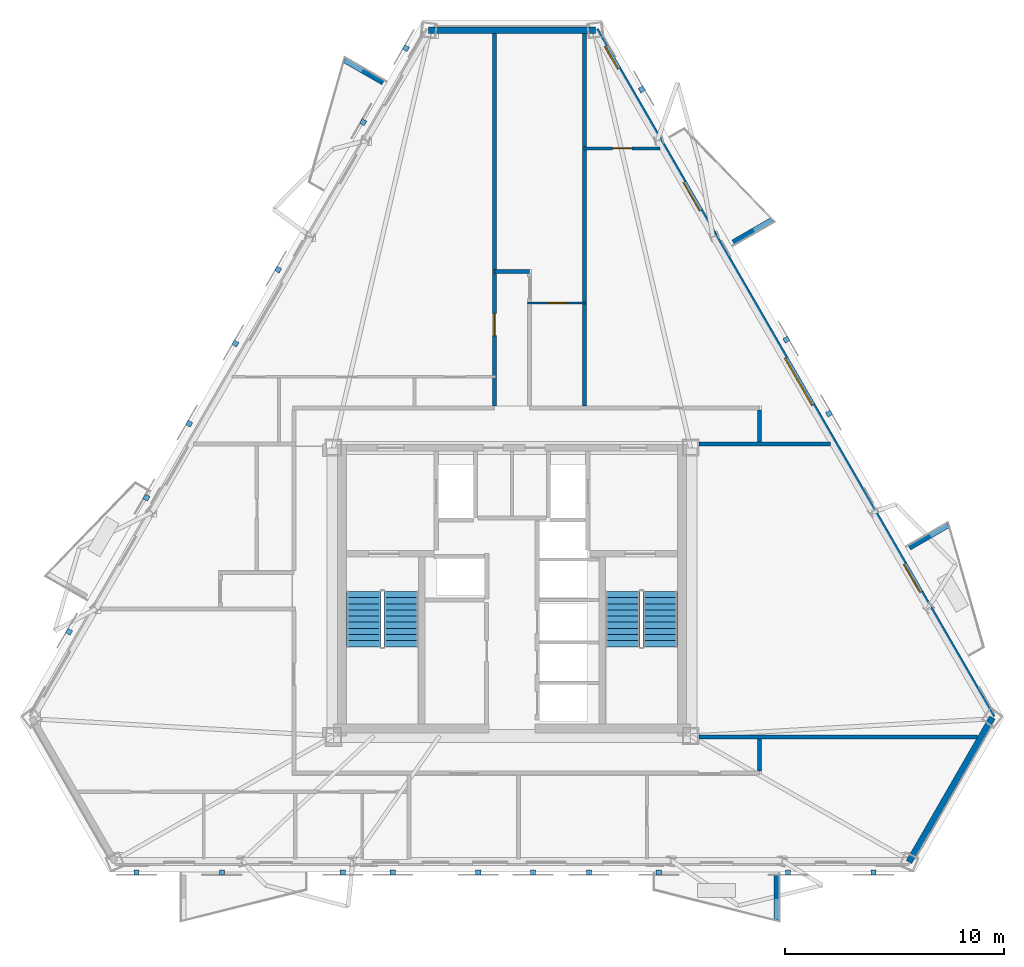
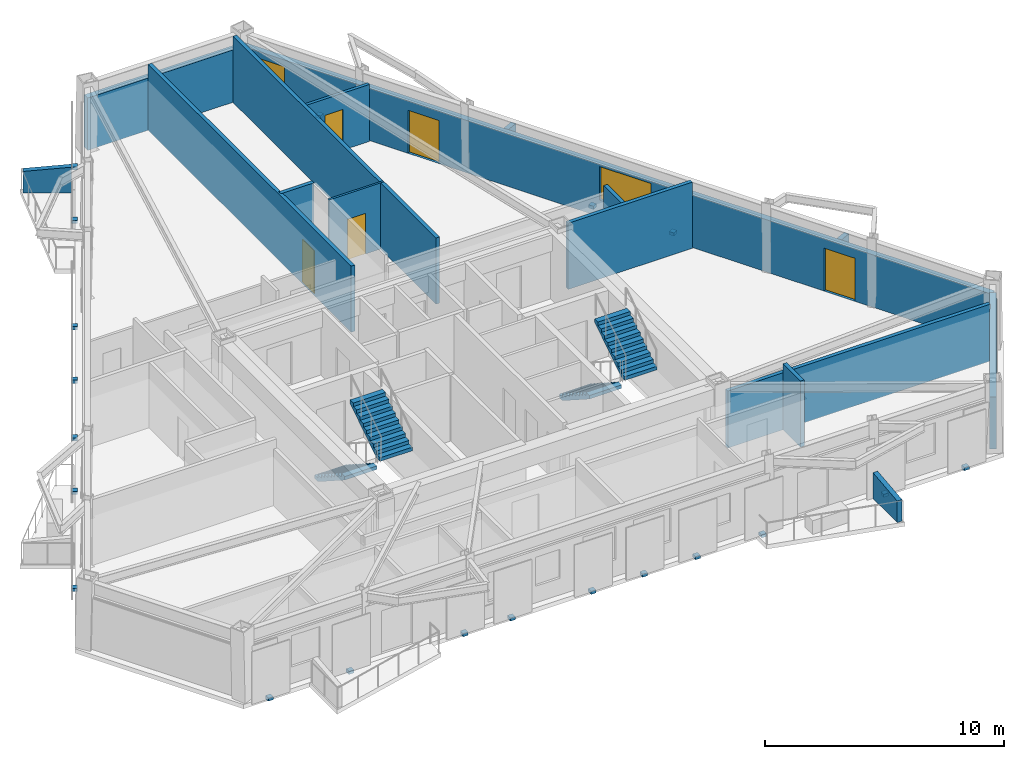
# One storey, part 5 of 8: 20 discrete accessories, 16 walls, 5 doors, 4 stair flights, 2 windows, 7 openings, 2 elements without a shape of their own.
"""IFC4 building model written with IfcOpenShell, lengths in metres."""

from ifc_helpers import new_model, si_unit, direction, frame, frame_2d, origin, origin_2d, place, context, subcontext, project, spatial, polyline, rectangle, outline, extrude, material, layer, layer_set, type_object, element, fill, aggregate, save


model = new_model("IFC4")

# Units and contexts
model_context = context("Model", 3, precision=1e-05, world=origin(), true_north=direction((0.0, 1.0)))
body_context = subcontext(model_context, "Body", "Model", "MODEL_VIEW")
ifc_project = project(units=[si_unit("LENGTHUNIT", "METRE"), si_unit("AREAUNIT", "SQUARE_METRE"), si_unit("VOLUMEUNIT", "CUBIC_METRE"), si_unit("PLANEANGLEUNIT", "RADIAN"), si_unit("MASSUNIT", "GRAM", prefix="KILO")], contexts=[model_context])

# Site, building, storey
site_placement = place(None, origin())
site = spatial("IfcSite", under=ifc_project, at=site_placement, CompositionType="ELEMENT")
building_placement = place(site_placement, origin())
building = spatial("IfcBuilding", under=site, at=building_placement, Name="Oramaril Tower", CompositionType="ELEMENT")
storey_placement = place(building_placement, frame((0.0, 0.0, 193.800048828125)))
storey = spatial("IfcBuildingStorey", under=building, at=storey_placement, Name="L51", CompositionType="ELEMENT", Elevation=193.800048828125)

# Wall
ifc_material_1 = material(Name="Warm Cream Limestone", Category="masonry")
ifc_layer_1 = layer(ifc_material_1, 0.2900390625)
ifc_layer_set_1 = layer_set([ifc_layer_1], Name="WT-EXT29")
wall_type_1 = type_object("IfcWallType", Name="WT-EXT29", PredefinedType="SOLIDWALL", material=ifc_layer_set_1)
wall_1_placement = place(storey_placement, frame((55.6171875, 5.24169921875, 0.0), z_axis=(0.0, 0.0, 1.0), x_axis=(0.500006337612, 0.866021744731, 0.0)))
element("IfcWall", 1, at=wall_1_placement, inside=storey, type_object=wall_type_1, Name="L51 Tower Limestone Facade Wall 3M", PredefinedType="SOLIDWALL", context=body_context, shape_type="SweptSolid", body=[
    extrude(rectangle(XDim=7.6181640625, YDim=0.2900390625, at=frame_2d((3.80908203125, 0.0))), origin(), (0.0, 0.0, 1.0), 2.677001953125),
])

# Wall, openings, doors, windows
wall_2_placement = place(storey_placement, frame((59.42626953125, 11.839111328125, 0.0), z_axis=(0.0, 0.0, 1.0), x_axis=(-0.499997159266, 0.866027043877, 0.0)))
wall_2 = element("IfcWall", 2, at=wall_2_placement, inside=storey, type_object=wall_type_1, Name="L51 Tower Limestone Facade Wall 4M", PredefinedType="SOLIDWALL", context=body_context, shape_type="SweptSolid", body=[
    extrude(rectangle(XDim=36.234619140625, YDim=0.2900390625, at=frame_2d((18.1171875, 0.0))), origin(), (0.0, 0.0, 1.0), 2.677001953125),
])
opening_1_placement = place(wall_2_placement, frame((6.579345703125, 0.0, 0.0)))
opening_1 = element("IfcOpeningElement", 3, at=opening_1_placement, cuts=wall_2, Name="Opening D-L51-BAL-NE1", PredefinedType="OPENING", context=body_context, shape_type="SweptSolid", body=[
    extrude(rectangle(XDim=1.5, YDim=2.199951171875, at=frame_2d((0.75, 1.10009765625))), frame((0.0, 0.14501953125, 0.0), z_axis=(0.0, -1.0, 0.0), x_axis=(1.0, 0.0, 0.0)), (0.0, 0.0, 1.0), 0.2900390625),
])
opening_2_placement = place(wall_2_placement, frame((26.7001953125, 0.0, 0.0)))
opening_2 = element("IfcOpeningElement", 4, at=opening_2_placement, cuts=wall_2, Name="Opening D-L51-BAL-NE2", PredefinedType="OPENING", context=body_context, shape_type="SweptSolid", body=[
    extrude(rectangle(XDim=1.5, YDim=2.199951171875, at=frame_2d((0.75, 1.10009765625))), frame((0.0, 0.14501953125, 0.0), z_axis=(0.0, -1.0, 0.0), x_axis=(1.0, 0.0, 0.0)), (0.0, 0.0, 1.0), 0.2900390625),
])
opening_3_placement = place(wall_2_placement, frame((34.1796875, 0.0, 0.85009765625)))
opening_3 = element("IfcOpeningElement", 5, at=opening_3_placement, cuts=wall_2, Name="Opening WN-09", PredefinedType="OPENING", context=body_context, shape_type="SweptSolid", body=[
    extrude(rectangle(XDim=1.199951171875, YDim=1.47998046875, at=frame_2d((0.60009765625, 0.739990234375))), frame((0.0, 0.14501953125, 0.0), z_axis=(0.0, -1.0, 0.0), x_axis=(1.0, 0.0, 0.0)), (0.0, 0.0, 1.0), 0.2900390625),
])
opening_4_placement = place(wall_2_placement, frame((16.442138671875, 0.0, 0.85009765625)))
opening_4 = element("IfcOpeningElement", 6, at=opening_4_placement, cuts=wall_2, Name="Opening WN-11", PredefinedType="OPENING", context=body_context, shape_type="SweptSolid", body=[
    extrude(rectangle(XDim=2.5, YDim=1.717041015625, at=frame_2d((1.25, 0.8583984375))), frame((0.0, 0.14501953125, 0.0), z_axis=(0.0, -1.0, 0.0), x_axis=(1.0, 0.0, 0.0)), (0.0, 0.0, 1.0), 0.2900390625),
])
ifc_material_2 = material(Name="Anodised Aluminium 6063-T6", Category="aluminium")
door_type_1 = type_object("IfcDoorType", Name="DT-BAL", OperationType="NOTDEFINED", PredefinedType="DOOR", material=ifc_material_2)
door_1_placement = place(opening_1_placement, origin())
door_1 = element("IfcDoor", 7, at=door_1_placement, inside=storey, type_object=door_type_1, Name="L51 Balcony Glazed Door L51-BAL-NE1", OperationType="SINGLE_SWING_RIGHT", OverallHeight=2.199951171875, OverallWidth=1.5, PredefinedType="DOOR", context=body_context, shape_type="SweptSolid", body=[
    extrude(rectangle(XDim=1.5, YDim=2.199951171875, at=frame_2d((0.75, 1.10009765625))), frame((0.0, 0.02490234375, 0.0), z_axis=(0.0, -1.0, 0.0), x_axis=(1.0, 0.0, 0.0)), (0.0, 0.0, 1.0), 0.050048828125),
])
fill(opening_1, door_1)
door_2_placement = place(opening_2_placement, origin())
door_2 = element("IfcDoor", 8, at=door_2_placement, inside=storey, type_object=door_type_1, Name="L51 Balcony Glazed Door L51-BAL-NE2", OperationType="SINGLE_SWING_LEFT", OverallHeight=2.199951171875, OverallWidth=1.5, PredefinedType="DOOR", context=body_context, shape_type="SweptSolid", body=[
    extrude(rectangle(XDim=1.5, YDim=2.199951171875, at=frame_2d((0.75, 1.10009765625))), frame((0.0, 0.02490234375, 0.0), z_axis=(0.0, -1.0, 0.0), x_axis=(1.0, 0.0, 0.0)), (0.0, 0.0, 1.0), 0.050048828125),
])
fill(opening_2, door_2)
ifc_material_3 = material(Name="Coastal Low-E Insulated Glass", Category="glass")
window_type_1 = type_object("IfcWindowType", Name="WNT-09", PartitioningType="SINGLE_PANEL", PredefinedType="WINDOW", material=ifc_material_3)
window_1_placement = place(opening_3_placement, origin())
window_1 = element("IfcWindow", 9, at=window_1_placement, inside=storey, type_object=window_type_1, Name="L51 Chicago Bay Window WN-09", OverallHeight=1.47998046875, OverallWidth=1.199951171875, PartitioningType="SINGLE_PANEL", PredefinedType="WINDOW", context=body_context, shape_type="SweptSolid", body=[
    extrude(rectangle(XDim=1.199951171875, YDim=1.47998046875, at=frame_2d((0.60009765625, 0.739990234375))), frame((0.0, 0.030029296875, 0.0), z_axis=(0.0, -1.0, 0.0), x_axis=(1.0, 0.0, 0.0)), (0.0, 0.0, 1.0), 0.06005859375),
])
fill(opening_3, window_1)
ifc_material_4 = material(Name="Coastal Low-E Insulated Glass", Category="glass")
window_type_2 = type_object("IfcWindowType", Name="WNT-11", PartitioningType="SINGLE_PANEL", PredefinedType="WINDOW", material=ifc_material_4)
window_2_placement = place(opening_4_placement, origin())
window_2 = element("IfcWindow", 10, at=window_2_placement, inside=storey, type_object=window_type_2, Name="L51 Chicago Bay Window WN-11", OverallHeight=1.717041015625, OverallWidth=2.5, PartitioningType="SINGLE_PANEL", PredefinedType="WINDOW", context=body_context, shape_type="SweptSolid", body=[
    extrude(rectangle(XDim=2.5, YDim=1.717041015625, at=frame_2d((1.25, 0.8583984375))), frame((0.0, 0.030029296875, 0.0), z_axis=(0.0, -1.0, 0.0), x_axis=(1.0, 0.0, 0.0)), (0.0, 0.0, 1.0), 0.06005859375),
])
fill(opening_4, window_2)

# Walls
wall_3_placement = place(storey_placement, frame((41.30908203125, 43.21923828125, 0.0), z_axis=(0.0, 0.0, 1.0), x_axis=(-1.0, 0.0, 0.0)))
element("IfcWall", 11, at=wall_3_placement, inside=storey, type_object=wall_type_1, Name="L51 Tower Limestone Facade Wall 5M", PredefinedType="SOLIDWALL", context=body_context, shape_type="SweptSolid", body=[
    extrude(rectangle(XDim=7.6181640625, YDim=0.2900390625, at=frame_2d((3.80908203125, 0.0))), origin(), (0.0, 0.0, 1.0), 2.677001953125),
])
ifc_material_5 = material(Name="Concrete C40/50", Category="concrete")
ifc_layer_2 = layer(ifc_material_5, 0.22998046875)
ifc_layer_set_2 = layer_set([ifc_layer_2], Name="WT-PRP23")
wall_type_2 = type_object("IfcWallType", Name="WT-PRP23", PredefinedType="PARAPET", material=ifc_layer_set_2)
for number, where, z_axis, x_axis, name in (
    (12, (49.577880859375, 4.643798828125, 0.0), (0.0, 0.0, 1.0), (0.0, -1.0, 0.0), "L51 Trapezoidal Balcony Frame Cheek L51-BAL-S2-R"),
    (13, (55.64208984375, 19.589599609375, 0.0), (0.0, 0.0, 1.0), (0.866012356593, 0.500022597718, 0.0), "L51 Trapezoidal Balcony Frame Cheek L51-BAL-NE1-R"),
    (14, (47.591552734375, 33.533447265625, 0.0), (0.0, 0.0, 1.0), (0.866042246008, 0.499970827278, 0.0), "L51 Trapezoidal Balcony Frame Cheek L51-BAL-NE2-L"),
    (15, (31.615966796875, 40.821044921875, 0.0), (0.0, 0.0, 1.0), (-0.866042246008, 0.499970827278, 0.0), "L51 Trapezoidal Balcony Frame Cheek L51-BAL-NW1-L"),
):
    element("IfcWall", number, at=place(storey_placement, frame(where, z_axis=z_axis, x_axis=x_axis)), inside=storey, type_object=wall_type_2, Name=name, PredefinedType="PARAPET", context=body_context, shape_type="SweptSolid", body=[
        extrude(outline(polyline([(0.0, 0.0), (2.0419921875, 0.0), (2.0419921875, 1.099853515625), (0.0, 1.320068359375), (0.0, 0.0)])), frame((0.0, 0.114990234375, 0.0), z_axis=(0.0, -1.0, 0.0), x_axis=(1.0, 0.0, 0.0)), (0.0, 0.0, 1.0), 0.22998046875),
    ])

# Wall, opening, door
ifc_material_6 = material(Name="Acoustic Gypsum Board Partition")
ifc_layer_3 = layer(ifc_material_6, 0.10009765625)
ifc_layer_set_3 = layer_set([ifc_layer_3], Name="WT-PT10")
wall_type_3 = type_object("IfcWallType", Name="WT-PT10", PredefinedType="PARTITIONING", material=ifc_layer_set_3)
wall_4_placement = place(storey_placement, frame((38.218017578125, 30.760009765625, 0.0), z_axis=(0.0, 0.0, 1.0), x_axis=(1.0, 0.0, 0.0)))
wall_4 = element("IfcWall", 16, at=wall_4_placement, inside=storey, type_object=wall_type_3, Name="L51 Interior Partition PT-10", PredefinedType="PARTITIONING", context=body_context, shape_type="SweptSolid", body=[
    extrude(rectangle(XDim=2.6640625, YDim=0.10009765625, at=frame_2d((1.33203125, 0.0))), origin(), (0.0, 0.0, 1.0), 3.3798828125),
])
opening_5_placement = place(wall_4_placement, frame((0.89208984375, 0.0, 0.0)))
opening_5 = element("IfcOpeningElement", 17, at=opening_5_placement, cuts=wall_4, Name="Opening D-L51-11", PredefinedType="OPENING", context=body_context, shape_type="SweptSolid", body=[
    extrude(rectangle(XDim=0.8798828125, YDim=2.080078125, at=frame_2d((0.43994140625, 1.0400390625))), frame((0.0, 0.050048828125, 0.0), z_axis=(0.0, -1.0, 0.0), x_axis=(1.0, 0.0, 0.0)), (0.0, 0.0, 1.0), 0.10009765625),
])
ifc_material_7 = material(Name="FSC Brazilian Freijo Hardwood", Category="wood")
door_type_2 = type_object("IfcDoorType", Name="DT-BATH", OperationType="NOTDEFINED", PredefinedType="DOOR", material=ifc_material_7)
door_3_placement = place(opening_5_placement, origin())
door_3 = element("IfcDoor", 18, at=door_3_placement, inside=storey, type_object=door_type_2, Name="L51 Flat L51-U6 Bathroom Door D-L51-11", OperationType="SINGLE_SWING_LEFT", OverallHeight=2.080078125, OverallWidth=0.8798828125, PredefinedType="DOOR", context=body_context, shape_type="SweptSolid", body=[
    extrude(rectangle(XDim=0.8798828125, YDim=2.080078125, at=frame_2d((0.43994140625, 1.0400390625))), frame((0.0, 0.02490234375, 0.0), z_axis=(0.0, -1.0, 0.0), x_axis=(1.0, 0.0, 0.0)), (0.0, 0.0, 1.0), 0.050048828125),
])
fill(opening_5, door_3)

ifc_material_8 = material(Name="Acoustic Gypsum Board Partition")
ifc_layer_4 = layer(ifc_material_8, 0.139892578125)
ifc_layer_set_4 = layer_set([ifc_layer_4], Name="WT-PT14")
wall_type_4 = type_object("IfcWallType", Name="WT-PT14", PredefinedType="PARTITIONING", material=ifc_layer_set_4)
wall_5_placement = place(storey_placement, frame((40.718017578125, 37.820068359375, 0.0), z_axis=(0.0, 0.0, 1.0), x_axis=(1.0, 0.0, 0.0)))
wall_5 = element("IfcWall", 19, at=wall_5_placement, inside=storey, type_object=wall_type_4, Name="L51 Interior Partition PT-14", PredefinedType="PARTITIONING", context=body_context, shape_type="SweptSolid", body=[
    extrude(rectangle(XDim=3.5361328125, YDim=0.139892578125, at=frame_2d((1.76806640625, 0.0))), origin(), (0.0, 0.0, 1.0), 2.912841796875),
])
opening_6_placement = place(wall_5_placement, frame((1.369384765625, 0.0, 0.0)))
opening_6 = element("IfcOpeningElement", 20, at=opening_6_placement, cuts=wall_5, Name="Opening D-L51-12", PredefinedType="OPENING", context=body_context, shape_type="SweptSolid", body=[
    extrude(rectangle(XDim=0.8798828125, YDim=2.080078125, at=frame_2d((0.43994140625, 1.0400390625))), frame((0.0, 0.06982421875, 0.0), z_axis=(0.0, -1.0, 0.0), x_axis=(1.0, 0.0, 0.0)), (0.0, 0.0, 1.0), 0.139892578125),
])
door_4_placement = place(opening_6_placement, origin())
door_4 = element("IfcDoor", 21, at=door_4_placement, inside=storey, type_object=door_type_2, Name="L51 Flat L51-U7 Bathroom Door D-L51-12", OperationType="SINGLE_SWING_RIGHT", OverallHeight=2.080078125, OverallWidth=0.8798828125, PredefinedType="DOOR", context=body_context, shape_type="SweptSolid", body=[
    extrude(rectangle(XDim=0.8798828125, YDim=2.080078125, at=frame_2d((0.43994140625, 1.0400390625))), frame((0.0, 0.02490234375, 0.0), z_axis=(0.0, -1.0, 0.0), x_axis=(1.0, 0.0, 0.0)), (0.0, 0.0, 1.0), 0.050048828125),
])
fill(opening_6, door_4)

# Walls
ifc_material_9 = material(Name="Autoclaved Cellular Concrete Block", Category="concrete")
ifc_layer_5 = layer(ifc_material_9, 0.179931640625)
ifc_layer_set_5 = layer_set([ifc_layer_5], Name="WT-PT18")
wall_type_5 = type_object("IfcWallType", Name="WT-PT18", PredefinedType="PARTITIONING", material=ifc_layer_set_5)
wall_6_placement = place(storey_placement, frame((46.0400390625, 10.949951171875, 0.0), z_axis=(0.0, 0.0, 1.0), x_axis=(1.0, 0.0, 0.0)))
element("IfcWall", 22, at=wall_6_placement, inside=storey, type_object=wall_type_5, Name="L51 Interior Partition PT-18", PredefinedType="PARTITIONING", context=body_context, shape_type="SweptSolid", body=[
    extrude(rectangle(XDim=12.700927734375, YDim=0.179931640625, at=frame_2d((6.3505859375, 0.0))), origin(), (0.0, 0.0, 1.0), 2.912841796875),
])
wall_7_placement = place(storey_placement, frame((46.0400390625, 24.320068359375, 0.0), z_axis=(0.0, 0.0, 1.0), x_axis=(1.0, 0.0, 0.0)))
element("IfcWall", 23, at=wall_7_placement, inside=storey, type_object=wall_type_5, Name="L51 Interior Partition PT-18", PredefinedType="PARTITIONING", context=body_context, shape_type="SweptSolid", body=[
    extrude(rectangle(XDim=6.00830078125, YDim=0.179931640625, at=frame_2d((3.004150390625, 0.0))), origin(), (0.0, 0.0, 1.0), 3.3798828125),
])
wall_8_placement = place(storey_placement, frame((36.699951171875, 32.199951171875, 0.0), z_axis=(0.0, 0.0, 1.0), x_axis=(1.0, 0.0, 0.0)))
element("IfcWall", 24, at=wall_8_placement, inside=storey, type_object=wall_type_5, Name="L51 Interior Partition PT-18", PredefinedType="PARTITIONING", context=body_context, shape_type="SweptSolid", body=[
    extrude(rectangle(XDim=1.60009765625, YDim=0.179931640625, at=frame_2d((0.800048828125, 0.0))), origin(), (0.0, 0.0, 1.0), 3.3798828125),
])

# Wall, opening, door
wall_9_placement = place(storey_placement, frame((36.699951171875, 26.06396484375, 0.0), z_axis=(0.0, 0.0, 1.0), x_axis=(0.0, 1.0, 0.0)))
wall_9 = element("IfcWall", 25, at=wall_9_placement, inside=storey, type_object=wall_type_5, Name="L51 Interior Partition PT-18", PredefinedType="PARTITIONING", context=body_context, shape_type="SweptSolid", body=[
    extrude(rectangle(XDim=17.00634765625, YDim=0.179931640625, at=frame_2d((8.503173828125, 0.0))), origin(), (0.0, 0.0, 1.0), 3.3798828125),
])
opening_7_placement = place(wall_9_placement, frame((3.2099609375, 0.0, 0.0)))
opening_7 = element("IfcOpeningElement", 26, at=opening_7_placement, cuts=wall_9, Name="Opening D-L51-16", PredefinedType="OPENING", context=body_context, shape_type="SweptSolid", body=[
    extrude(rectangle(XDim=1.0, YDim=2.179931640625, at=frame_2d((0.5, 1.08984375))), frame((0.0, 0.08984375, 0.0), z_axis=(0.0, -1.0, 0.0), x_axis=(1.0, 0.0, 0.0)), (0.0, 0.0, 1.0), 0.179931640625),
])
ifc_material_10 = material(Name="FSC Brazilian Freijo Hardwood", Category="wood")
door_type_3 = type_object("IfcDoorType", Name="DT-APT", OperationType="NOTDEFINED", PredefinedType="DOOR", material=ifc_material_10)
door_5_placement = place(opening_7_placement, origin())
door_5 = element("IfcDoor", 27, at=door_5_placement, inside=storey, type_object=door_type_3, Name="L51 Flat L51-U5 Studio Apartment Door D-L51-16", OperationType="SINGLE_SWING_RIGHT", OverallHeight=2.179931640625, OverallWidth=1.0, PredefinedType="DOOR", context=body_context, shape_type="SweptSolid", body=[
    extrude(rectangle(XDim=1.0, YDim=2.179931640625, at=frame_2d((0.5, 1.08984375))), frame((0.0, 0.02490234375, 0.0), z_axis=(0.0, -1.0, 0.0), x_axis=(1.0, 0.0, 0.0)), (0.0, 0.0, 1.0), 0.050048828125),
])
fill(opening_7, door_5)

# Walls
wall_10_placement = place(storey_placement, frame((40.800048828125, 26.06396484375, 0.0), z_axis=(0.0, 0.0, 1.0), x_axis=(0.0, 1.0, 0.0)))
element("IfcWall", 28, at=wall_10_placement, inside=storey, type_object=wall_type_5, Name="L51 Interior Partition PT-18", PredefinedType="PARTITIONING", context=body_context, shape_type="SweptSolid", body=[
    extrude(rectangle(XDim=17.00634765625, YDim=0.179931640625, at=frame_2d((8.503173828125, 0.0))), origin(), (0.0, 0.0, 1.0), 3.3798828125),
])
for number, where, z_axis, x_axis, name in (
    (29, (48.800048828125, 9.39404296875, 0.0), (0.0, 0.0, 1.0), (0.0, 1.0, 0.0), "L51 Interior Partition PT-18"),
    (30, (48.800048828125, 24.4140625, 0.0), (0.0, 0.0, 1.0), (0.0, 1.0, 0.0), "L51 Interior Partition PT-18"),
):
    element("IfcWall", number, at=place(storey_placement, frame(where, z_axis=z_axis, x_axis=x_axis)), inside=storey, type_object=wall_type_5, Name=name, PredefinedType="PARTITIONING", context=body_context, shape_type="SweptSolid", body=[
        extrude(rectangle(XDim=1.4619140625, YDim=0.179931640625, at=frame_2d((0.73095703125, 0.0))), origin(), (0.0, 0.0, 1.0), 3.3798828125),
    ])

# Stair, stair flights
ifc_material_11 = material(Name="Concrete C50/60", Category="concrete")
stair_type = type_object("IfcStairType", Name="STT-DG-3600", PredefinedType="HALF_TURN_STAIR", material=ifc_material_11)
stair_1_placement = place(storey_placement, origin())
stair_1 = element("IfcStair", 31, at=stair_1_placement, inside=storey, type_object=stair_type, Name="L51 Protected PFP Exit Stair ST-1", PredefinedType="HALF_TURN_STAIR")
ifc_material_12 = material(Name="Concrete C50/60", Category="concrete")
stair_flight_type = type_object("IfcStairFlightType", Name="SFT-DG-3600", PredefinedType="STRAIGHT", material=ifc_material_12)
stair_flight_1_placement = place(storey_placement, frame((30.72998046875, 17.590087890625, 0.0), z_axis=(0.0, 0.0, 1.0), x_axis=(0.0, -1.0, 0.0)))
stair_flight_1 = element("IfcStairFlight", 32, at=stair_flight_1_placement, type_object=stair_flight_type, Name="ST-1 flight 1", NumberOfRisers=10, NumberOfTreads=9, PredefinedType="STRAIGHT", RiserHeight=0.18, TreadLength=0.28, context=body_context, shape_type="SweptSolid", body=[
    extrude(outline(polyline([(0.0, 0.0), (0.0, 0.179931640625), (0.280029296875, 0.179931640625), (0.280029296875, 0.360107421875), (0.56005859375, 0.360107421875), (0.56005859375, 0.5400390625), (0.840087890625, 0.5400390625), (0.840087890625, 0.719970703125), (1.1201171875, 0.719970703125), (1.1201171875, 0.89990234375), (1.39990234375, 0.89990234375), (1.39990234375, 1.080078125), (1.679931640625, 1.080078125), (1.679931640625, 1.260009765625), (1.9599609375, 1.260009765625), (1.9599609375, 1.43994140625), (2.239990234375, 1.43994140625), (2.239990234375, 1.6201171875), (2.52001953125, 1.6201171875), (2.52001953125, 1.800048828125), (2.52001953125, 1.44189453125), (0.277099609375, 0.0), (0.0, 0.0)])), frame((0.0, 0.780029296875, 0.0), z_axis=(0.0, -1.0, 0.0), x_axis=(1.0, 0.0, 0.0)), (0.0, 0.0, 1.0), 1.56005859375),
])
stair_flight_2_placement = place(storey_placement, frame((32.43994140625, 15.070068359375, 1.800048828125), z_axis=(0.0, 0.0, 1.0), x_axis=(0.0, 1.0, 0.0)))
stair_flight_2 = element("IfcStairFlight", 33, at=stair_flight_2_placement, type_object=stair_flight_type, Name="ST-1 flight 2", NumberOfRisers=10, NumberOfTreads=9, PredefinedType="STRAIGHT", RiserHeight=0.18, TreadLength=0.28, context=body_context, shape_type="SweptSolid", body=[
    extrude(outline(polyline([(0.0, 0.0), (0.0, 0.179931640625), (0.280029296875, 0.179931640625), (0.280029296875, 0.360107421875), (0.56005859375, 0.360107421875), (0.56005859375, 0.5400390625), (0.840087890625, 0.5400390625), (0.840087890625, 0.719970703125), (1.1201171875, 0.719970703125), (1.1201171875, 0.89990234375), (1.39990234375, 0.89990234375), (1.39990234375, 1.080078125), (1.679931640625, 1.080078125), (1.679931640625, 1.260009765625), (1.9599609375, 1.260009765625), (1.9599609375, 1.43994140625), (2.239990234375, 1.43994140625), (2.239990234375, 1.6201171875), (2.52001953125, 1.6201171875), (2.52001953125, 1.800048828125), (2.52001953125, 1.44189453125), (0.277099609375, 0.0), (0.0, 0.0)])), frame((0.0, 0.780029296875, 0.0), z_axis=(0.0, -1.0, 0.0), x_axis=(1.0, 0.0, 0.0)), (0.0, 0.0, 1.0), 1.56005859375),
])
aggregate(stair_1, [stair_flight_1, stair_flight_2])

stair_2_placement = place(storey_placement, origin())
stair_2 = element("IfcStair", 34, at=stair_2_placement, inside=storey, type_object=stair_type, Name="L51 Protected PFP Exit Stair ST-2", PredefinedType="HALF_TURN_STAIR")
stair_flight_3_placement = place(storey_placement, frame((42.56005859375, 17.590087890625, 0.0), z_axis=(0.0, 0.0, 1.0), x_axis=(0.0, -1.0, 0.0)))
stair_flight_3 = element("IfcStairFlight", 35, at=stair_flight_3_placement, type_object=stair_flight_type, Name="ST-2 flight 1", NumberOfRisers=10, NumberOfTreads=9, PredefinedType="STRAIGHT", RiserHeight=0.18, TreadLength=0.28, context=body_context, shape_type="SweptSolid", body=[
    extrude(outline(polyline([(0.0, 0.0), (0.0, 0.179931640625), (0.280029296875, 0.179931640625), (0.280029296875, 0.360107421875), (0.56005859375, 0.360107421875), (0.56005859375, 0.5400390625), (0.840087890625, 0.5400390625), (0.840087890625, 0.719970703125), (1.1201171875, 0.719970703125), (1.1201171875, 0.89990234375), (1.39990234375, 0.89990234375), (1.39990234375, 1.080078125), (1.679931640625, 1.080078125), (1.679931640625, 1.260009765625), (1.9599609375, 1.260009765625), (1.9599609375, 1.43994140625), (2.239990234375, 1.43994140625), (2.239990234375, 1.6201171875), (2.52001953125, 1.6201171875), (2.52001953125, 1.800048828125), (2.52001953125, 1.44189453125), (0.277099609375, 0.0), (0.0, 0.0)])), frame((0.0, 0.780029296875, 0.0), z_axis=(0.0, -1.0, 0.0), x_axis=(1.0, 0.0, 0.0)), (0.0, 0.0, 1.0), 1.56005859375),
])
stair_flight_4_placement = place(storey_placement, frame((44.27001953125, 15.070068359375, 1.800048828125), z_axis=(0.0, 0.0, 1.0), x_axis=(0.0, 1.0, 0.0)))
stair_flight_4 = element("IfcStairFlight", 36, at=stair_flight_4_placement, type_object=stair_flight_type, Name="ST-2 flight 2", NumberOfRisers=10, NumberOfTreads=9, PredefinedType="STRAIGHT", RiserHeight=0.18, TreadLength=0.28, context=body_context, shape_type="SweptSolid", body=[
    extrude(outline(polyline([(0.0, 0.0), (0.0, 0.179931640625), (0.280029296875, 0.179931640625), (0.280029296875, 0.360107421875), (0.56005859375, 0.360107421875), (0.56005859375, 0.5400390625), (0.840087890625, 0.5400390625), (0.840087890625, 0.719970703125), (1.1201171875, 0.719970703125), (1.1201171875, 0.89990234375), (1.39990234375, 0.89990234375), (1.39990234375, 1.080078125), (1.679931640625, 1.080078125), (1.679931640625, 1.260009765625), (1.9599609375, 1.260009765625), (1.9599609375, 1.43994140625), (2.239990234375, 1.43994140625), (2.239990234375, 1.6201171875), (2.52001953125, 1.6201171875), (2.52001953125, 1.800048828125), (2.52001953125, 1.44189453125), (0.277099609375, 0.0), (0.0, 0.0)])), frame((0.0, 0.780029296875, 0.0), z_axis=(0.0, -1.0, 0.0), x_axis=(1.0, 0.0, 0.0)), (0.0, 0.0, 1.0), 1.56005859375),
])
aggregate(stair_2, [stair_flight_3, stair_flight_4])

# Discrete accessories
for number, where, z_axis, x_axis, name in (
    (37, (32.0595703125, 4.76171875, -0.14013671875), (0.0, 0.0, 1.0), (1.0, 0.0, 0.0), "L51 Solar Screen Slab Bracket"),
    (38, (35.959716796875, 4.76171875, -0.14013671875), (0.0, 0.0, 1.0), (1.0, 0.0, 0.0), "L51 Solar Screen Slab Bracket"),
    (39, (38.455078125, 4.76171875, -0.14013671875), (0.0, 0.0, 1.0), (1.0, 0.0, 0.0), "L51 Solar Screen Slab Bracket"),
    (40, (50.103271484375, 4.76171875, -0.14013671875), (0.0, 0.0, 1.0), (1.0, 0.0, 0.0), "L51 Solar Screen Slab Bracket"),
    (41, (54.003173828125, 4.76171875, -0.14013671875), (0.0, 0.0, 1.0), (1.0, 0.0, 0.0), "L51 Solar Screen Slab Bracket"),
    (42, (41.010498046875, 4.76171875, -0.14013671875), (0.0, 0.0, 1.0), (1.0, 0.0, 0.0), "L51 Solar Screen Slab Bracket"),
    (43, (44.202392578125, 4.76171875, -0.14013671875), (0.0, 0.0, 1.0), (1.0, 0.0, 0.0), "L51 Solar Screen Slab Bracket"),
    (44, (20.35791015625, 4.76171875, -0.14013671875), (0.0, 0.0, 1.0), (1.0, 0.0, 0.0), "L51 Solar Screen Slab Bracket"),
    (45, (24.258056640625, 4.76171875, -0.14013671875), (0.0, 0.0, 1.0), (1.0, 0.0, 0.0), "L51 Solar Screen Slab Bracket"),
    (46, (29.777587890625, 4.76171875, -0.14013671875), (0.0, 0.0, 1.0), (1.0, 0.0, 0.0), "L51 Solar Screen Slab Bracket"),
    (47, (43.427001953125, 40.510498046875, -0.14013671875), (0.0, 0.0, 1.0), (-0.5, 0.866025403784, 0.0), "L51 Solar Screen Slab Bracket"),
    (48, (51.970947265625, 25.712158203125, -0.14013671875), (0.0, 0.0, 1.0), (-0.5, 0.866025403784, 0.0), "L51 Solar Screen Slab Bracket"),
    (49, (50.02099609375, 29.089599609375, -0.14013671875), (0.0, 0.0, 1.0), (-0.5, 0.866025403784, 0.0), "L51 Solar Screen Slab Bracket"),
    (50, (17.280517578125, 15.755615234375, -0.14013671875), (0.0, 0.0, 1.0), (-0.5, -0.866025403784, 0.0), "L51 Solar Screen Slab Bracket"),
    (51, (22.764892578125, 25.25439453125, -0.14013671875), (0.0, 0.0, 1.0), (-0.5, -0.866025403784, 0.0), "L51 Solar Screen Slab Bracket"),
    (52, (20.814697265625, 21.876953125, -0.14013671875), (0.0, 0.0, 1.0), (-0.5, -0.866025403784, 0.0), "L51 Solar Screen Slab Bracket"),
    (53, (32.65869140625, 42.391357421875, -0.14013671875), (0.0, 0.0, 1.0), (-0.5, -0.866025403784, 0.0), "L51 Solar Screen Slab Bracket"),
    (54, (30.708740234375, 39.013916015625, -0.14013671875), (0.0, 0.0, 1.0), (-0.5, -0.866025403784, 0.0), "L51 Solar Screen Slab Bracket"),
    (55, (26.826171875, 32.2890625, -0.14013671875), (0.0, 0.0, 1.0), (-0.5, -0.866025403784, 0.0), "L51 Solar Screen Slab Bracket"),
    (56, (24.876220703125, 28.91162109375, -0.14013671875), (0.0, 0.0, 1.0), (-0.5, -0.866025403784, 0.0), "L51 Solar Screen Slab Bracket"),
):
    element("IfcDiscreteAccessory", number, at=place(storey_placement, frame(where, z_axis=z_axis, x_axis=x_axis)), inside=storey, Name=name, PredefinedType="BRACKET", context=body_context, shape_type="SweptSolid", body=[
        extrude(rectangle(XDim=0.239990234375, YDim=0.239990234375, at=origin_2d()), origin(), (0.0, 0.0, 1.0), 0.159912109375),
    ])

save(model, "model.ifc")
